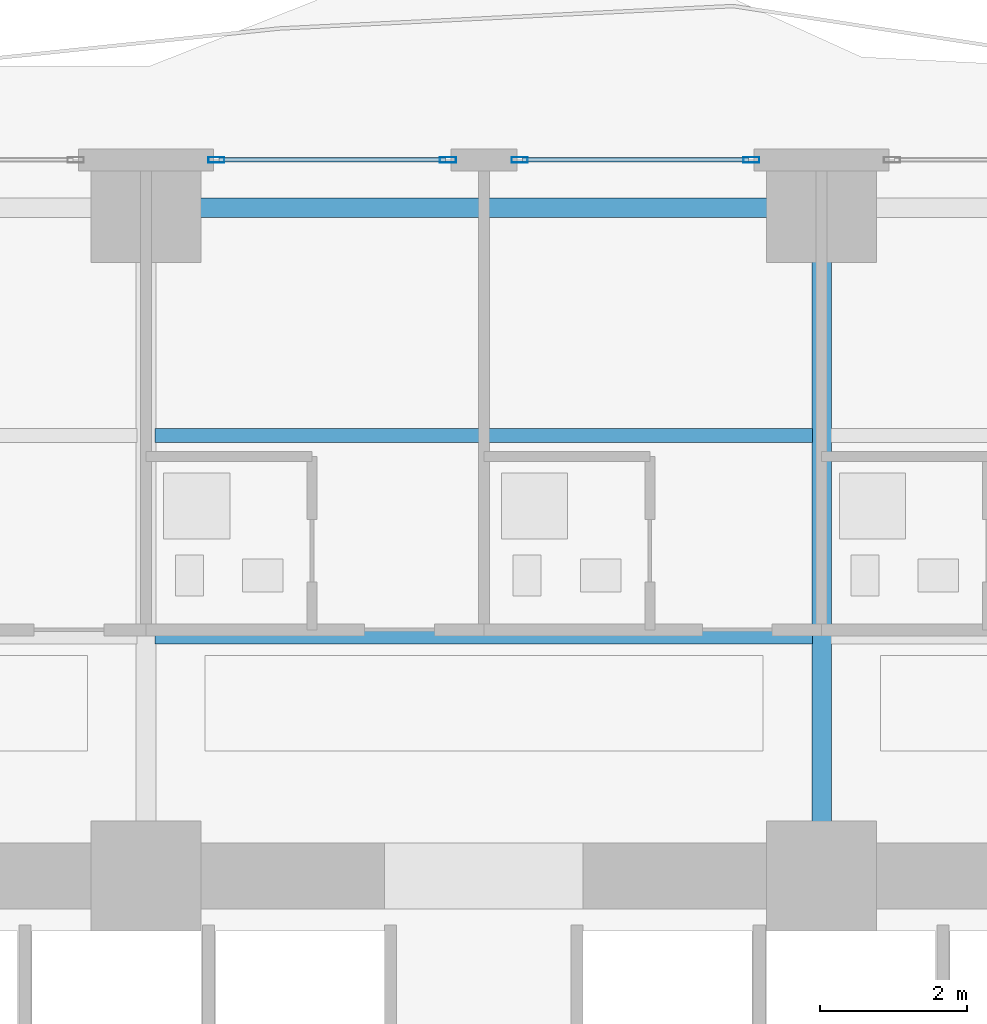
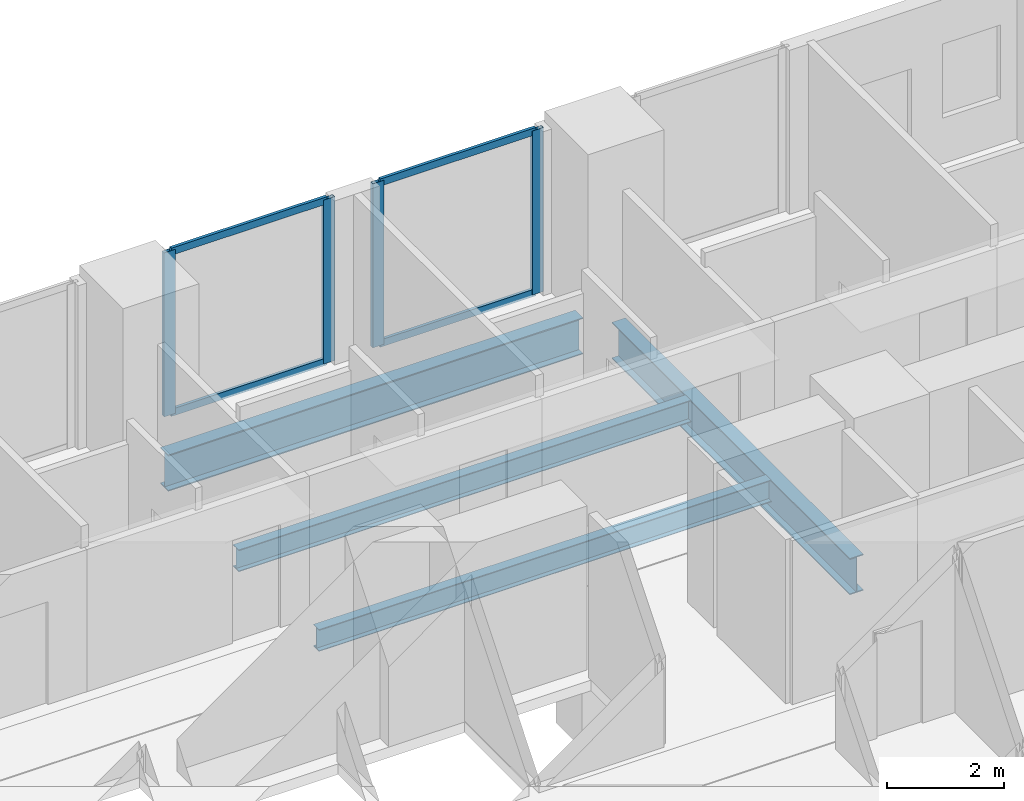
# One storey, part 15 of 29: 8 members, 4 beams, 2 elements without a shape of their own.
"""IFC4 building model written with IfcOpenShell, lengths in metres."""

from ifc_helpers import new_model, si_unit, direction, frame, origin, origin_2d, place, context, subcontext, project, spatial, hollow_rectangle, i_section, extrude, material, layer, layer_set, material_profile, profile_set, type_object, element, aggregate, save


model = new_model("IFC4")

# Units and contexts
model_context = context("Model", 3, precision=1e-05, world=origin(), true_north=direction((0.0, 1.0)))
body_context = subcontext(model_context, "Body", "Model", "MODEL_VIEW")
ifc_project = project(units=[si_unit("LENGTHUNIT", "METRE"), si_unit("AREAUNIT", "SQUARE_METRE"), si_unit("VOLUMEUNIT", "CUBIC_METRE"), si_unit("PLANEANGLEUNIT", "RADIAN"), si_unit("MASSUNIT", "GRAM", prefix="KILO")], contexts=[model_context])

# Site, building, storey
site_placement = place(None, origin())
site = spatial("IfcSite", under=ifc_project, at=site_placement, CompositionType="ELEMENT")
building_placement = place(site_placement, origin())
building = spatial("IfcBuilding", under=site, at=building_placement, Name="Zuhayl Quay Hotel", CompositionType="ELEMENT")
storey_placement = place(building_placement, frame((0.0, 0.0, 67.75)))
storey = spatial("IfcBuildingStorey", under=building, at=storey_placement, Name="L16", CompositionType="ELEMENT", Elevation=67.75)

# Beams
ifc_material_1 = material(Name="Steel ASTM A992 Grade 50", Category="steel")
ifc_material_profile_1 = material_profile(ifc_material_1, i_section(OverallWidth=0.26708984375, OverallDepth=0.761962890625, WebThickness=0.014404296875, FlangeThickness=0.021484375, at=origin_2d()), Name="W30X116")
ifc_profile_set_1 = profile_set([ifc_material_profile_1], Name="Steel ASTM A992 Grade 50")
beam_type_1 = type_object("IfcBeamType", Name="BM_B1_W30X116", PredefinedType="BEAM", material=ifc_profile_set_1)
beam_1_placement = place(storey_placement, frame((4.10009765625, 22.449951171875, -0.60107421875), z_axis=(-1.0, 0.0, 0.0), x_axis=(0.0, -1.0, 0.0)))
element("IfcBeam", 1, at=beam_1_placement, inside=storey, type_object=beam_type_1, Name="L16 Floor Beam RG_L16_08", PredefinedType="BEAM", context=body_context, shape_type="SweptSolid", body=[
    extrude(i_section(OverallWidth=0.26708984375, OverallDepth=0.761962890625, WebThickness=0.014404296875, FlangeThickness=0.021484375, at=origin_2d()), origin(), (0.0, 0.0, 1.0), 8.2001953125),
])
beam_2_placement = place(storey_placement, frame((4.60009765625, 13.800048828125, -0.60107421875), z_axis=(0.0, 1.0, 0.0), x_axis=(-1.0, 0.0, 0.0)))
element("IfcBeam", 2, at=beam_2_placement, inside=storey, type_object=beam_type_1, Name="L16 Floor Beam FG_N_L16_3", PredefinedType="BEAM", context=body_context, shape_type="SweptSolid", body=[
    extrude(i_section(OverallWidth=0.26708984375, OverallDepth=0.761962890625, WebThickness=0.014404296875, FlangeThickness=0.021484375, at=origin_2d()), origin(), (0.0, 0.0, 1.0), 8.14990234375),
])
ifc_material_profile_2 = material_profile(ifc_material_1, i_section(OverallWidth=0.18994140625, OverallDepth=0.45703125, WebThickness=0.009033203125, FlangeThickness=0.014404296875, at=origin_2d()), Name="W18X50")
ifc_profile_set_2 = profile_set([ifc_material_profile_2], Name="Steel ASTM A992 Grade 50")
beam_type_2 = type_object("IfcBeamType", Name="BM_J2_W18X50", PredefinedType="JOIST", material=ifc_profile_set_2)
for number, where, z_axis, x_axis, name in (
    (3, (-4.474609375, 16.60009765625, -0.448486328125), (1.0, 0.0, 0.0), (0.0, 1.0, 0.0), "L16 Floor Beam FJ_L16_1_2"),
    (4, (-4.474609375, 19.35009765625, -0.448486328125), (1.0, 0.0, 0.0), (0.0, 1.0, 0.0), "L16 Floor Beam FJ_L16_2_2"),
):
    element("IfcBeam", number, at=place(storey_placement, frame(where, z_axis=z_axis, x_axis=x_axis)), inside=storey, type_object=beam_type_2, Name=name, PredefinedType="JOIST", context=body_context, shape_type="SweptSolid", body=[
        extrude(i_section(OverallWidth=0.18994140625, OverallDepth=0.45703125, WebThickness=0.009033203125, FlangeThickness=0.014404296875, at=origin_2d()), origin(), (0.0, 0.0, 1.0), 8.94921875),
    ])

# Curtain wall, members
ifc_material_2 = material(Name="Anodised Aluminium 6063-T6", Category="aluminium")
ifc_layer = layer(ifc_material_2, 0.18994140625, Name="Anodised Aluminium 6063-T6", Category="aluminium")
ifc_layer_set = layer_set([ifc_layer], Name="Anodised Aluminium 6063-T6")
curtain_wall_type = type_object("IfcCurtainWallType", Name="CW_SYS_Z1", PredefinedType="USERDEFINED", material=ifc_layer_set)
curtain_wall_1_placement = place(storey_placement, origin())
curtain_wall_1 = element("IfcCurtainWall", 5, at=curtain_wall_1_placement, inside=storey, type_object=curtain_wall_type, Name="L16 Curtain Wall ENV_L16_N_CW3", ObjectType="UNITISED CURTAIN WALL", PredefinedType="USERDEFINED")
ifc_material_3 = material(Name="Black-anodised aluminium 6063-T6", Category="aluminium")
ifc_material_profile_3 = material_profile(ifc_material_3, hollow_rectangle(XDim=0.074951171875, YDim=0.219970703125, WallThickness=0.00390625, at=origin_2d()), Name="ALU220X75")
ifc_profile_set_3 = profile_set([ifc_material_profile_3], Name="Black-anodised aluminium 6063-T6")
member_type_1 = type_object("IfcMemberType", Name="MB_CW_MUL_220", PredefinedType="MULLION", material=ifc_profile_set_3)
member_1_placement = place(storey_placement, frame((-3.642578125, 23.10009765625, 0.0), z_axis=(0.0, 0.0, 1.0), x_axis=(0.0, 1.0, 0.0)))
member_1 = element("IfcMember", 6, at=member_1_placement, type_object=member_type_1, Name="CW-Z1 mullion 1", PredefinedType="MULLION", context=body_context, shape_type="SweptSolid", body=[
    extrude(hollow_rectangle(XDim=0.074951171875, YDim=0.219970703125, WallThickness=0.00390625, at=origin_2d()), origin(), (0.0, 0.0, 1.0), 3.429931640625),
])
member_2_placement = place(storey_placement, frame((-0.487548828125, 23.10009765625, 0.0), z_axis=(0.0, 0.0, 1.0), x_axis=(0.0, 1.0, 0.0)))
member_2 = element("IfcMember", 7, at=member_2_placement, type_object=member_type_1, Name="CW-Z1 mullion 2", PredefinedType="MULLION", context=body_context, shape_type="SweptSolid", body=[
    extrude(hollow_rectangle(XDim=0.074951171875, YDim=0.219970703125, WallThickness=0.00390625, at=origin_2d()), origin(), (0.0, 0.0, 1.0), 3.429931640625),
])

curtain_wall_2_placement = place(storey_placement, origin())
curtain_wall_2 = element("IfcCurtainWall", 8, at=curtain_wall_2_placement, inside=storey, type_object=curtain_wall_type, Name="L16 Curtain Wall ENV_L16_N_CW4", ObjectType="UNITISED CURTAIN WALL", PredefinedType="USERDEFINED")
member_3_placement = place(storey_placement, frame((0.487548828125, 23.10009765625, 0.0), z_axis=(0.0, 0.0, 1.0), x_axis=(0.0, 1.0, 0.0)))
member_3 = element("IfcMember", 9, at=member_3_placement, type_object=member_type_1, Name="CW-Z1 mullion 1", PredefinedType="MULLION", context=body_context, shape_type="SweptSolid", body=[
    extrude(hollow_rectangle(XDim=0.074951171875, YDim=0.219970703125, WallThickness=0.00390625, at=origin_2d()), origin(), (0.0, 0.0, 1.0), 3.429931640625),
])
member_4_placement = place(storey_placement, frame((3.642578125, 23.10009765625, 0.0), z_axis=(0.0, 0.0, 1.0), x_axis=(0.0, 1.0, 0.0)))
member_4 = element("IfcMember", 10, at=member_4_placement, type_object=member_type_1, Name="CW-Z1 mullion 2", PredefinedType="MULLION", context=body_context, shape_type="SweptSolid", body=[
    extrude(hollow_rectangle(XDim=0.074951171875, YDim=0.219970703125, WallThickness=0.00390625, at=origin_2d()), origin(), (0.0, 0.0, 1.0), 3.429931640625),
])

# Member
ifc_material_profile_4 = material_profile(ifc_material_3, hollow_rectangle(XDim=0.06005859375, YDim=0.14990234375, WallThickness=0.00341796875, at=origin_2d()), Name="ALU150X60")
ifc_profile_set_4 = profile_set([ifc_material_profile_4], Name="Black-anodised aluminium 6063-T6")
member_type_2 = type_object("IfcMemberType", Name="MB_CW_TRN_150", PredefinedType="USERDEFINED", material=ifc_profile_set_4)
member_5_placement = place(storey_placement, frame((-3.60498046875, 23.10009765625, 0.030029296875), z_axis=(1.0, 0.0, 0.0), x_axis=(0.0, 1.0, 0.0)))
member_5 = element("IfcMember", 11, at=member_5_placement, type_object=member_type_2, Name="CW-Z1 transom 1.1", ObjectType="TRANSOM", PredefinedType="USERDEFINED", context=body_context, shape_type="SweptSolid", body=[
    extrude(hollow_rectangle(XDim=0.06005859375, YDim=0.14990234375, WallThickness=0.00341796875, at=origin_2d()), origin(), (0.0, 0.0, 1.0), 3.080078125),
])

member_6_placement = place(storey_placement, frame((-3.60498046875, 23.10009765625, 3.39990234375), z_axis=(1.0, 0.0, 0.0), x_axis=(0.0, 1.0, 0.0)))
member_6 = element("IfcMember", 12, at=member_6_placement, type_object=member_type_2, Name="CW-Z1 transom 1.2", ObjectType="TRANSOM", PredefinedType="USERDEFINED", context=body_context, shape_type="SweptSolid", body=[
    extrude(hollow_rectangle(XDim=0.06005859375, YDim=0.14990234375, WallThickness=0.00341796875, at=origin_2d()), origin(), (0.0, 0.0, 1.0), 3.080078125),
])

aggregate(curtain_wall_1, [member_1, member_2, member_5, member_6])

member_7_placement = place(storey_placement, frame((0.52490234375, 23.10009765625, 0.030029296875), z_axis=(1.0, 0.0, 0.0), x_axis=(0.0, 1.0, 0.0)))
member_7 = element("IfcMember", 13, at=member_7_placement, type_object=member_type_2, Name="CW-Z1 transom 1.1", ObjectType="TRANSOM", PredefinedType="USERDEFINED", context=body_context, shape_type="SweptSolid", body=[
    extrude(hollow_rectangle(XDim=0.06005859375, YDim=0.14990234375, WallThickness=0.00341796875, at=origin_2d()), origin(), (0.0, 0.0, 1.0), 3.080078125),
])

member_8_placement = place(storey_placement, frame((0.52490234375, 23.10009765625, 3.39990234375), z_axis=(1.0, 0.0, 0.0), x_axis=(0.0, 1.0, 0.0)))
member_8 = element("IfcMember", 14, at=member_8_placement, type_object=member_type_2, Name="CW-Z1 transom 1.2", ObjectType="TRANSOM", PredefinedType="USERDEFINED", context=body_context, shape_type="SweptSolid", body=[
    extrude(hollow_rectangle(XDim=0.06005859375, YDim=0.14990234375, WallThickness=0.00341796875, at=origin_2d()), origin(), (0.0, 0.0, 1.0), 3.080078125),
])

aggregate(curtain_wall_2, [member_3, member_4, member_7, member_8])

save(model, "model.ifc")
